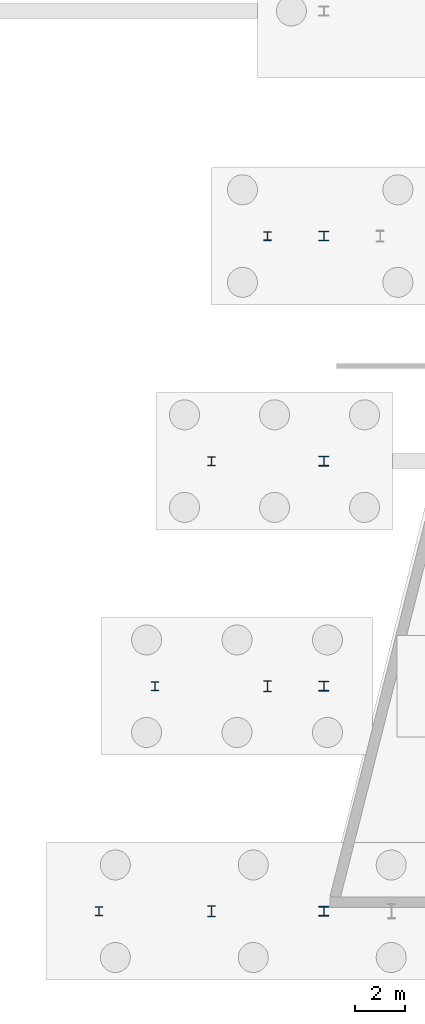
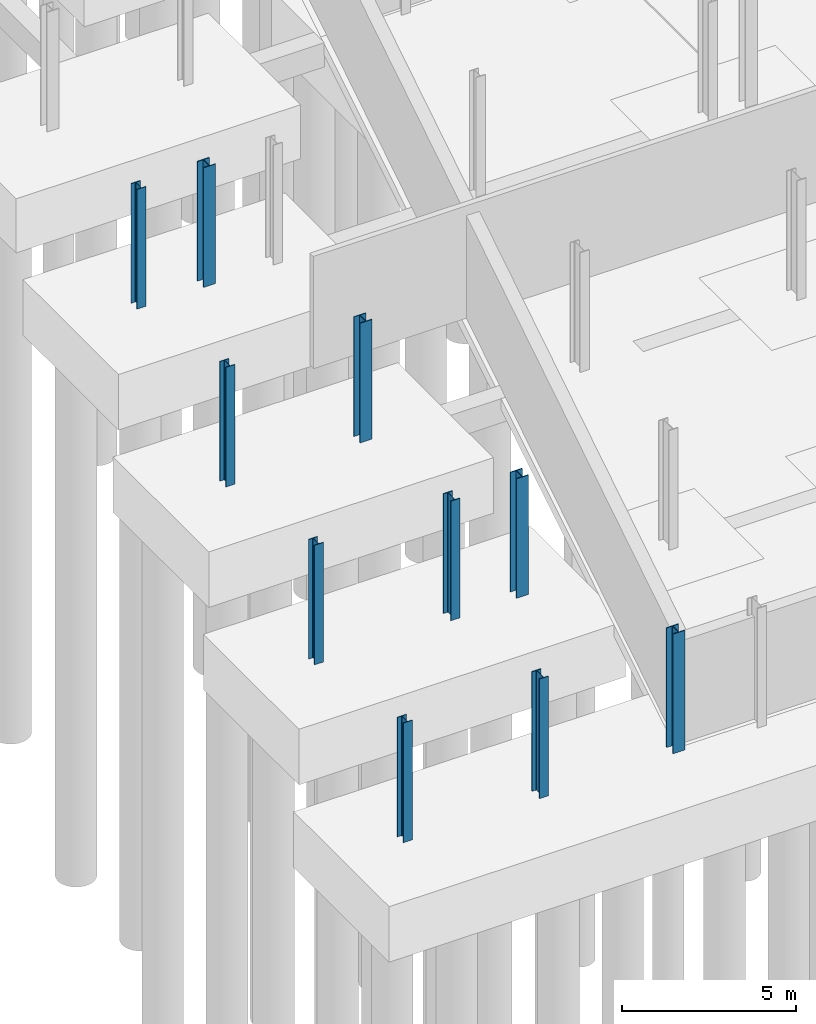
# One storey, part 14 of 42: 10 columns.
"""IFC4 building model written with IfcOpenShell, lengths in metres."""

from ifc_helpers import new_model, si_unit, direction, frame, origin, origin_2d, place, context, subcontext, project, spatial, i_section, extrude, material, material_profile, profile_set, type_object, element, save


model = new_model("IFC4")

# Units and contexts
model_context = context("Model", 3, precision=1e-05, world=origin(), true_north=direction((0.0, 1.0)))
body_context = subcontext(model_context, "Body", "Model", "MODEL_VIEW")
ifc_project = project(units=[si_unit("LENGTHUNIT", "METRE"), si_unit("AREAUNIT", "SQUARE_METRE"), si_unit("VOLUMEUNIT", "CUBIC_METRE"), si_unit("PLANEANGLEUNIT", "RADIAN"), si_unit("MASSUNIT", "GRAM", prefix="KILO")], contexts=[model_context])

# Site, building, storey
site_placement = place(None, origin())
site = spatial("IfcSite", under=ifc_project, at=site_placement, CompositionType="ELEMENT")
building_placement = place(site_placement, origin())
building = spatial("IfcBuilding", under=site, at=building_placement, Name="Deido Ridge Mobility Hub", CompositionType="ELEMENT")
storey_placement = place(building_placement, frame((0.0, 0.0, -4.199951171875)))
storey = spatial("IfcBuildingStorey", under=building, at=storey_placement, Name="B1", CompositionType="ELEMENT", Elevation=-4.199951171875)

# Columns
ifc_material = material(Name="Steel S355J2 EN 10025-2", Category="steel")
ifc_material_profile_1 = material_profile(ifc_material, i_section(OverallWidth=0.39892578125, OverallDepth=0.39306640625, WebThickness=0.017578125, FlangeThickness=0.028076171875, FilletRadius=0.014892578125, at=origin_2d()), Name="HD 400x287")
ifc_profile_set_1 = profile_set([ifc_material_profile_1], Name="Steel S355J2 EN 10025-2")
column_type_1 = type_object("IfcColumnType", Name="COL-HD400-287", PredefinedType="COLUMN", material=ifc_profile_set_1)
for number, where, z_axis, x_axis, name in (
    (1, (126.0, 0.0, 0.0), (0.0, 0.0, 1.0), (1.0, 0.0, 0.0), "Structural column C2"),
    (2, (126.0, 9.0, 0.0), (0.0, 0.0, 1.0), (1.0, 0.0, 0.0), "Structural column C2"),
    (3, (126.0, 18.0, 0.0), (0.0, 0.0, 1.0), (1.0, 0.0, 0.0), "Structural column C2"),
    (4, (126.0, 27.0, 0.0), (0.0, 0.0, 1.0), (1.0, 0.0, 0.0), "Structural column C2"),
):
    element("IfcColumn", number, at=place(storey_placement, frame(where, z_axis=z_axis, x_axis=x_axis)), inside=storey, type_object=column_type_1, Name=name, PredefinedType="COLUMN", context=body_context, shape_type="SweptSolid", body=[
        extrude(i_section(OverallWidth=0.39892578125, OverallDepth=0.39306640625, WebThickness=0.017578125, FlangeThickness=0.028076171875, FilletRadius=0.014892578125, at=origin_2d()), origin(), (0.0, 0.0, 1.0), 4.199951171875),
    ])
ifc_material_profile_2 = material_profile(ifc_material, i_section(OverallWidth=0.300048828125, OverallDepth=0.360107421875, WebThickness=0.012451171875, FlangeThickness=0.0224609375, FilletRadius=0.027099609375, at=origin_2d()), Name="HEB 360")
ifc_profile_set_2 = profile_set([ifc_material_profile_2], Name="Steel S355J2 EN 10025-2")
column_type_2 = type_object("IfcColumnType", Name="COL-HEB360", PredefinedType="COLUMN", material=ifc_profile_set_2)
for number, where, z_axis, x_axis, name in (
    (5, (117.0, 0.0, 0.0), (0.0, 0.0, 1.0), (1.0, 0.0, 0.0), "Structural column C8"),
    (6, (119.25, 9.0, 0.0), (0.0, 0.0, 1.0), (1.0, 0.0, 0.0), "Structural column C8"),
    (7, (121.5, 18.0, 0.0), (0.0, 0.0, 1.0), (1.0, 0.0, 0.0), "Structural column C8"),
    (8, (123.75, 27.0, 0.0), (0.0, 0.0, 1.0), (1.0, 0.0, 0.0), "Structural column C8"),
):
    element("IfcColumn", number, at=place(storey_placement, frame(where, z_axis=z_axis, x_axis=x_axis)), inside=storey, type_object=column_type_2, Name=name, PredefinedType="COLUMN", context=body_context, shape_type="SweptSolid", body=[
        extrude(i_section(OverallWidth=0.300048828125, OverallDepth=0.360107421875, WebThickness=0.012451171875, FlangeThickness=0.0224609375, FilletRadius=0.027099609375, at=origin_2d()), origin(), (0.0, 0.0, 1.0), 4.199951171875),
    ])
ifc_material_profile_3 = material_profile(ifc_material, i_section(OverallWidth=0.300048828125, OverallDepth=0.449951171875, WebThickness=0.013916015625, FlangeThickness=0.02587890625, FilletRadius=0.027099609375, at=origin_2d()), Name="HEB 450")
ifc_profile_set_3 = profile_set([ifc_material_profile_3], Name="Steel S355J2 EN 10025-2")
column_type_3 = type_object("IfcColumnType", Name="COL-HEB450", PredefinedType="COLUMN", material=ifc_profile_set_3)
for number, where, z_axis, x_axis, name in (
    (9, (121.5, 0.0, 0.0), (0.0, 0.0, 1.0), (1.0, 0.0, 0.0), "Structural column C6"),
    (10, (123.75, 9.0, 0.0), (0.0, 0.0, 1.0), (1.0, 0.0, 0.0), "Structural column C6"),
):
    element("IfcColumn", number, at=place(storey_placement, frame(where, z_axis=z_axis, x_axis=x_axis)), inside=storey, type_object=column_type_3, Name=name, PredefinedType="COLUMN", context=body_context, shape_type="SweptSolid", body=[
        extrude(i_section(OverallWidth=0.300048828125, OverallDepth=0.449951171875, WebThickness=0.013916015625, FlangeThickness=0.02587890625, FilletRadius=0.027099609375, at=origin_2d()), origin(), (0.0, 0.0, 1.0), 4.199951171875),
    ])

save(model, "model.ifc")
